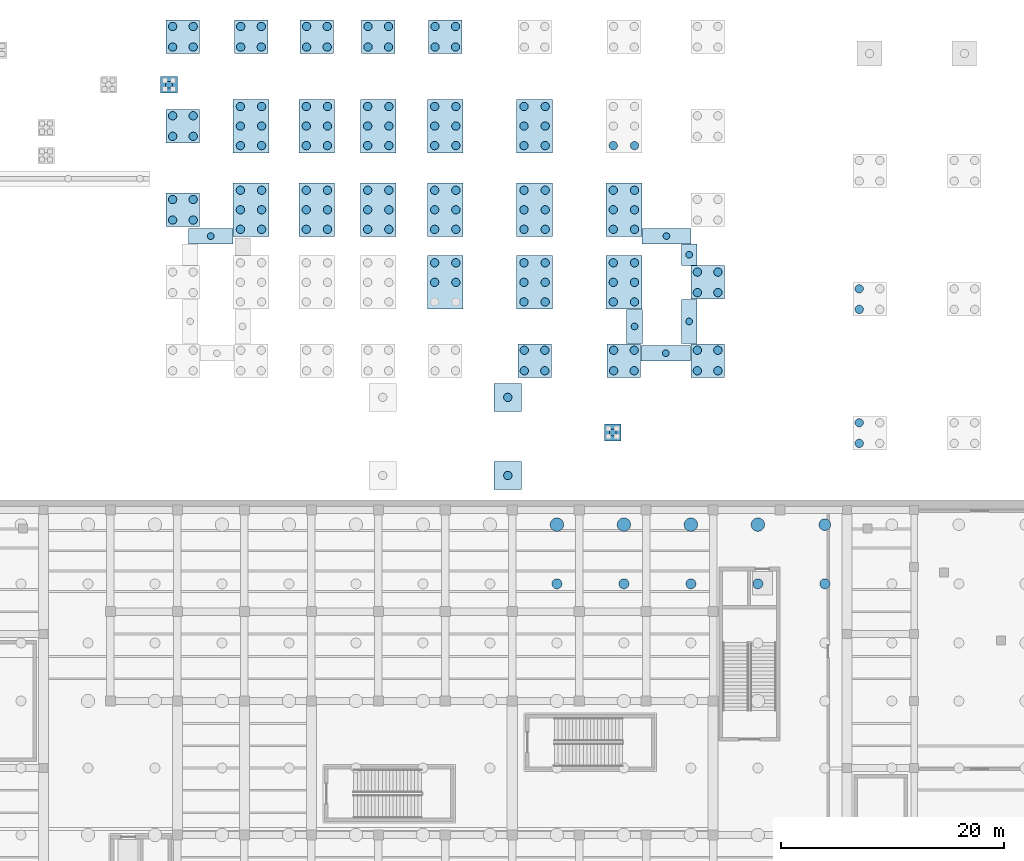
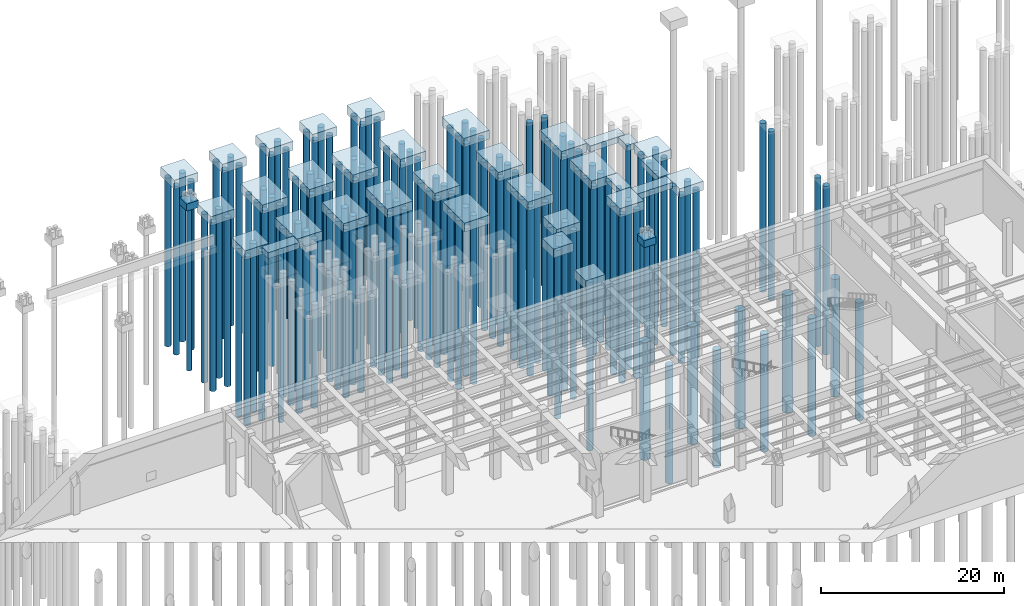
# One storey, part 4 of 30: 152 piles, 35 footings.
"""IFC4 building model written with IfcOpenShell, lengths in metres."""

from ifc_helpers import new_model, si_unit, direction, frame, origin, origin_2d, place, context, subcontext, project, spatial, rectangle, circle, extrude, material, material_profile, profile_set, type_object, element, save


model = new_model("IFC4")

# Units and contexts
model_context = context("Model", 3, precision=1e-05, world=origin(), true_north=direction((0.0, 1.0)))
body_context = subcontext(model_context, "Body", "Model", "MODEL_VIEW")
ifc_project = project(units=[si_unit("LENGTHUNIT", "METRE"), si_unit("AREAUNIT", "SQUARE_METRE"), si_unit("VOLUMEUNIT", "CUBIC_METRE"), si_unit("PLANEANGLEUNIT", "RADIAN"), si_unit("MASSUNIT", "GRAM", prefix="KILO")], contexts=[model_context])

# Site, building, storey
site_placement = place(None, origin())
site = spatial("IfcSite", under=ifc_project, at=site_placement, CompositionType="ELEMENT")
building_placement = place(site_placement, origin())
building = spatial("IfcBuilding", under=site, at=building_placement, Name="Kolvaren Corner Interchange", CompositionType="ELEMENT")
storey_placement = place(building_placement, frame((0.0, 0.0, -7.199951171875)))
storey = spatial("IfcBuildingStorey", under=building, at=storey_placement, Name="B1", CompositionType="ELEMENT", Elevation=-7.199951171875)

# Footings
ifc_material_1 = material(Name="Concrete C40/50", Category="concrete")
footing_type_1 = type_object("IfcFootingType", Name="FC-4P", PredefinedType="PILE_CAP", material=ifc_material_1)
for number, where, z_axis, x_axis, name in (
    (1, (66.5, 98.0, 5.60009765625), (0.0, 0.0, 1.0), (1.0, 0.0, 0.0), "Reinforced Concrete Foundation Pile Cap 057"),
    (2, (66.5, 105.5, 5.60009765625), (0.0, 0.0, 1.0), (1.0, 0.0, 0.0), "Reinforced Concrete Foundation Pile Cap 058"),
    (3, (66.5, 113.5, 5.60009765625), (0.0, 0.0, 1.0), (1.0, 0.0, 0.0), "Reinforced Concrete Foundation Pile Cap 059"),
    (4, (72.60009765625, 113.5, 5.60009765625), (0.0, 0.0, 1.0), (1.0, 0.0, 0.0), "Reinforced Concrete Foundation Pile Cap 064"),
    (5, (78.5, 113.5, 5.60009765625), (0.0, 0.0, 1.0), (1.0, 0.0, 0.0), "Reinforced Concrete Foundation Pile Cap 069"),
    (6, (84.0, 113.5, 5.60009765625), (0.0, 0.0, 1.0), (1.0, 0.0, 0.0), "Reinforced Concrete Foundation Pile Cap 074"),
    (7, (90.0, 113.5, 5.60009765625), (0.0, 0.0, 1.0), (1.0, 0.0, 0.0), "Reinforced Concrete Foundation Pile Cap 079"),
    (8, (98.0, 84.5, 5.60009765625), (0.0, 0.0, 1.0), (1.0, 0.0, 0.0), "Reinforced Concrete Foundation Pile Cap 080"),
    (9, (106.0, 84.5, 5.60009765625), (0.0, 0.0, 1.0), (1.0, 0.0, 0.0), "Reinforced Concrete Foundation Pile Cap 085"),
    (10, (113.5, 84.5, 5.60009765625), (0.0, 0.0, 1.0), (1.0, 0.0, 0.0), "Reinforced Concrete Foundation Pile Cap 090"),
    (11, (113.5, 91.5, 5.60009765625), (0.0, 0.0, 1.0), (1.0, 0.0, 0.0), "Reinforced Concrete Foundation Pile Cap 091"),
):
    element("IfcFooting", number, at=place(storey_placement, frame(where, z_axis=z_axis, x_axis=x_axis)), inside=storey, type_object=footing_type_1, Name=name, PredefinedType="PILE_CAP", context=body_context, shape_type="SweptSolid", body=[
        extrude(rectangle(XDim=3.0, YDim=3.0, at=origin_2d()), origin(), (0.0, 0.0, 1.0), 1.199951171875),
    ])
ifc_material_2 = material(Name="Concrete C40/50", Category="concrete")
footing_type_2 = type_object("IfcFootingType", Name="FC-6P", PredefinedType="PILE_CAP", material=ifc_material_2)
for number, where, z_axis, x_axis, name in (
    (12, (72.60009765625, 98.0, 5.60009765625), (0.0, 0.0, 1.0), (1.0, 0.0, 0.0), "Reinforced Concrete Foundation Pile Cap 062"),
    (13, (72.60009765625, 105.5, 5.60009765625), (0.0, 0.0, 1.0), (1.0, 0.0, 0.0), "Reinforced Concrete Foundation Pile Cap 063"),
    (14, (78.5, 98.0, 5.60009765625), (0.0, 0.0, 1.0), (1.0, 0.0, 0.0), "Reinforced Concrete Foundation Pile Cap 067"),
    (15, (78.5, 105.5, 5.60009765625), (0.0, 0.0, 1.0), (1.0, 0.0, 0.0), "Reinforced Concrete Foundation Pile Cap 068"),
    (16, (84.0, 98.0, 5.60009765625), (0.0, 0.0, 1.0), (1.0, 0.0, 0.0), "Reinforced Concrete Foundation Pile Cap 072"),
    (17, (84.0, 105.5, 5.60009765625), (0.0, 0.0, 1.0), (1.0, 0.0, 0.0), "Reinforced Concrete Foundation Pile Cap 073"),
    (18, (90.0, 91.5, 5.60009765625), (0.0, 0.0, 1.0), (1.0, 0.0, 0.0), "Reinforced Concrete Foundation Pile Cap 076"),
    (19, (90.0, 98.0, 5.60009765625), (0.0, 0.0, 1.0), (1.0, 0.0, 0.0), "Reinforced Concrete Foundation Pile Cap 077"),
    (20, (90.0, 105.5, 5.60009765625), (0.0, 0.0, 1.0), (1.0, 0.0, 0.0), "Reinforced Concrete Foundation Pile Cap 078"),
    (21, (98.0, 91.5, 5.60009765625), (0.0, 0.0, 1.0), (1.0, 0.0, 0.0), "Reinforced Concrete Foundation Pile Cap 081"),
    (22, (98.0, 98.0, 5.60009765625), (0.0, 0.0, 1.0), (1.0, 0.0, 0.0), "Reinforced Concrete Foundation Pile Cap 082"),
    (23, (98.0, 105.5, 5.60009765625), (0.0, 0.0, 1.0), (1.0, 0.0, 0.0), "Reinforced Concrete Foundation Pile Cap 083"),
    (24, (106.0, 91.5, 5.60009765625), (0.0, 0.0, 1.0), (1.0, 0.0, 0.0), "Reinforced Concrete Foundation Pile Cap 086"),
    (25, (106.0, 98.0, 5.60009765625), (0.0, 0.0, 1.0), (1.0, 0.0, 0.0), "Reinforced Concrete Foundation Pile Cap 087"),
):
    element("IfcFooting", number, at=place(storey_placement, frame(where, z_axis=z_axis, x_axis=x_axis)), inside=storey, type_object=footing_type_2, Name=name, PredefinedType="PILE_CAP", context=body_context, shape_type="SweptSolid", body=[
        extrude(rectangle(XDim=3.199951171875, YDim=4.800048828125, at=origin_2d()), origin(), (0.0, 0.0, 1.0), 1.199951171875),
    ])
ifc_material_3 = material(Name="Concrete C40/50", Category="concrete")
footing_type_3 = type_object("IfcFootingType", Name="FD-PAD2", PredefinedType="PAD_FOOTING", material=ifc_material_3)
for number, where, z_axis, x_axis, name in (
    (26, (95.60009765625, 74.199951171875, 5.60009765625), (0.0, 0.0, 1.0), (1.0, 0.0, 0.0), "Reinforced Concrete Foundation Pile Cap 097"),
    (27, (95.60009765625, 81.199951171875, 5.60009765625), (0.0, 0.0, 1.0), (1.0, 0.0, 0.0), "Reinforced Concrete Foundation Pile Cap 098"),
):
    element("IfcFooting", number, at=place(storey_placement, frame(where, z_axis=z_axis, x_axis=x_axis)), inside=storey, type_object=footing_type_3, Name=name, PredefinedType="PAD_FOOTING", context=body_context, shape_type="SweptSolid", body=[
        extrude(rectangle(XDim=2.5, YDim=2.5, at=origin_2d()), origin(), (0.0, 0.0, 1.0), 1.199951171875),
    ])
ifc_material_4 = material(Name="Concrete C40/50", Category="concrete")
footing_type_4 = type_object("IfcFootingType", Name="FD-PAD4", PredefinedType="PAD_FOOTING", material=ifc_material_4)
for number, where, z_axis, x_axis, name in (
    (28, (65.25, 109.199951171875, 5.02001953125), (0.0, 0.0, 1.0), (1.0, 0.0, 0.0), "Reinforced Concrete Foundation Pile Cap 146"),
    (29, (105.0, 78.050048828125, 5.10986328125), (0.0, 0.0, 1.0), (1.0, 0.0, 0.0), "Reinforced Concrete Foundation Pile Cap 156"),
):
    element("IfcFooting", number, at=place(storey_placement, frame(where, z_axis=z_axis, x_axis=x_axis)), inside=storey, type_object=footing_type_4, Name=name, PredefinedType="PAD_FOOTING", context=body_context, shape_type="SweptSolid", body=[
        extrude(rectangle(XDim=1.5, YDim=1.5, at=origin_2d()), origin(), (0.0, 0.0, 1.0), 0.949951171875),
    ])
ifc_material_5 = material(Name="Concrete C40/50", Category="concrete")
ifc_material_profile_1 = material_profile(ifc_material_5, rectangle(XDim=1.39990234375, YDim=0.800048828125, at=origin_2d()), Name="STRIP 1400x800")
ifc_profile_set_1 = profile_set([ifc_material_profile_1], Name="Concrete C40/50")
footing_type_5 = type_object("IfcFootingType", Name="FS-STRIP1", PredefinedType="STRIP_FOOTING", material=ifc_profile_set_1)
footing_1_placement = place(storey_placement, frame((67.0, 95.64501953125, 6.39990234375), z_axis=(1.0, 0.0, 0.0), x_axis=(0.0, 1.0, 0.0)))
element("IfcFooting", 30, at=footing_1_placement, inside=storey, type_object=footing_type_5, Name="Cycle Hub West Pavilion Exit Stair North Strip Footing", PredefinedType="STRIP_FOOTING", context=body_context, shape_type="SweptSolid", body=[
    extrude(rectangle(XDim=1.39990234375, YDim=0.800048828125, at=origin_2d()), origin(), (0.0, 0.0, 1.0), 3.97998046875),
])
footing_2_placement = place(storey_placement, frame((107.52001953125, 85.155029296875, 6.39990234375), z_axis=(1.0, 0.0, 0.0), x_axis=(0.0, 1.0, 0.0)))
element("IfcFooting", 31, at=footing_2_placement, inside=storey, type_object=footing_type_5, Name="Cycle Hub East Mezzanine Exit Stair South Strip Footing", PredefinedType="STRIP_FOOTING", context=body_context, shape_type="SweptSolid", body=[
    extrude(rectangle(XDim=1.39990234375, YDim=0.800048828125, at=origin_2d()), origin(), (0.0, 0.0, 1.0), 4.4599609375),
])
footing_3_placement = place(storey_placement, frame((107.6201171875, 95.64501953125, 6.39990234375), z_axis=(1.0, 0.0, 0.0), x_axis=(0.0, 1.0, 0.0)))
element("IfcFooting", 32, at=footing_3_placement, inside=storey, type_object=footing_type_5, Name="Cycle Hub East Mezzanine Exit Stair North Strip Footing", PredefinedType="STRIP_FOOTING", context=body_context, shape_type="SweptSolid", body=[
    extrude(rectangle(XDim=1.39990234375, YDim=0.800048828125, at=origin_2d()), origin(), (0.0, 0.0, 1.0), 4.3798828125),
])
footing_4_placement = place(storey_placement, frame((106.955078125, 86.02001953125, 6.39990234375), z_axis=(0.0, 1.0, 0.0), x_axis=(-1.0, 0.0, 0.0)))
element("IfcFooting", 33, at=footing_4_placement, inside=storey, type_object=footing_type_5, Name="Cycle Hub East Mezzanine Exit Stair West Strip Footing", PredefinedType="STRIP_FOOTING", context=body_context, shape_type="SweptSolid", body=[
    extrude(rectangle(XDim=1.39990234375, YDim=0.800048828125, at=origin_2d()), origin(), (0.0, 0.0, 1.0), 3.06005859375),
])
footing_5_placement = place(storey_placement, frame((111.844970703125, 86.02001953125, 6.39990234375), z_axis=(0.0, 1.0, 0.0), x_axis=(-1.0, 0.0, 0.0)))
element("IfcFooting", 34, at=footing_5_placement, inside=storey, type_object=footing_type_5, Name="Cycle Hub East Mezzanine Exit Stair East Strip Footing Segment 1", PredefinedType="STRIP_FOOTING", context=body_context, shape_type="SweptSolid", body=[
    extrude(rectangle(XDim=1.39990234375, YDim=0.800048828125, at=origin_2d()), origin(), (0.0, 0.0, 1.0), 3.9599609375),
])
footing_6_placement = place(storey_placement, frame((111.844970703125, 93.02001953125, 6.39990234375), z_axis=(0.0, 1.0, 0.0), x_axis=(-1.0, 0.0, 0.0)))
element("IfcFooting", 35, at=footing_6_placement, inside=storey, type_object=footing_type_5, Name="Cycle Hub East Mezzanine Exit Stair East Strip Footing Segment 2", PredefinedType="STRIP_FOOTING", context=body_context, shape_type="SweptSolid", body=[
    extrude(rectangle(XDim=1.39990234375, YDim=0.800048828125, at=origin_2d()), origin(), (0.0, 0.0, 1.0), 1.905029296875),
])

# Piles
ifc_material_6 = material(Name="Concrete C40/50", Category="concrete")
ifc_material_profile_2 = material_profile(ifc_material_6, circle(Radius=0.52490234375, at=origin_2d()), Name="BORED PILE 1050")
ifc_profile_set_2 = profile_set([ifc_material_profile_2], Name="Concrete C40/50")
pile_type_1 = type_object("IfcPileType", Name="PILE-BP1050", PredefinedType="BORED", material=ifc_profile_set_2)
pile_1_placement = place(storey_placement, frame((124.0, 69.800048828125, -1.10009765625), z_axis=(0.0, 0.0, -1.0), x_axis=(1.0, 0.0, 0.0)))
element("IfcPile", 36, at=pile_1_placement, inside=storey, type_object=pile_type_1, Name="Metro Base Raft Rotary Bored Pile 0171", PredefinedType="BORED", context=body_context, shape_type="SweptSolid", body=[
    extrude(circle(Radius=0.52490234375, at=origin_2d()), origin(), (0.0, 0.0, 1.0), 15.699951171875),
])
ifc_material_7 = material(Name="Concrete C40/50", Category="concrete")
ifc_material_profile_3 = material_profile(ifc_material_7, circle(Radius=0.60009765625, at=origin_2d()), Name="BORED PILE 1200")
ifc_profile_set_3 = profile_set([ifc_material_profile_3], Name="Concrete C40/50")
pile_type_2 = type_object("IfcPileType", Name="PILE-BP1200", PredefinedType="BORED", material=ifc_profile_set_3)
for number, where, z_axis, x_axis, name in (
    (37, (100.0, 69.800048828125, -1.10009765625), (0.0, 0.0, -1.0), (1.0, 0.0, 0.0), "Metro Base Raft Rotary Bored Pile 0135"),
    (38, (106.0, 69.800048828125, -1.10009765625), (0.0, 0.0, -1.0), (1.0, 0.0, 0.0), "Metro Base Raft Rotary Bored Pile 0144"),
    (39, (112.0, 69.800048828125, -1.10009765625), (0.0, 0.0, -1.0), (1.0, 0.0, 0.0), "Metro Base Raft Rotary Bored Pile 0153"),
    (40, (118.0, 69.800048828125, -1.10009765625), (0.0, 0.0, -1.0), (1.0, 0.0, 0.0), "Metro Base Raft Rotary Bored Pile 0162"),
):
    element("IfcPile", number, at=place(storey_placement, frame(where, z_axis=z_axis, x_axis=x_axis)), inside=storey, type_object=pile_type_2, Name=name, PredefinedType="BORED", context=body_context, shape_type="SweptSolid", body=[
        extrude(circle(Radius=0.60009765625, at=origin_2d()), origin(), (0.0, 0.0, 1.0), 15.699951171875),
    ])
ifc_material_8 = material(Name="Concrete C40/50", Category="concrete")
ifc_material_profile_4 = material_profile(ifc_material_8, circle(Radius=0.300048828125, at=origin_2d()), Name="BORED PILE 600")
ifc_profile_set_4 = profile_set([ifc_material_profile_4], Name="Concrete C40/50")
pile_type_3 = type_object("IfcPileType", Name="PILE-BP600", PredefinedType="BORED", material=ifc_profile_set_4)
for number, where, z_axis, x_axis, name in (
    (41, (68.989990234375, 95.64501953125, 6.099853515625), (0.0, 0.0, -1.0), (1.0, 0.0, 0.0), "Cycle Hub West Pavilion Exit Stair North Bored Pile 002"),
    (42, (109.75, 85.155029296875, 6.099853515625), (0.0, 0.0, -1.0), (1.0, 0.0, 0.0), "Cycle Hub East Mezzanine Exit Stair South Bored Pile 001"),
    (43, (109.81005859375, 95.64501953125, 6.099853515625), (0.0, 0.0, -1.0), (1.0, 0.0, 0.0), "Cycle Hub East Mezzanine Exit Stair North Bored Pile 002"),
    (44, (106.955078125, 87.550048828125, 6.099853515625), (0.0, 0.0, -1.0), (1.0, 0.0, 0.0), "Cycle Hub East Mezzanine Exit Stair West Bored Pile 003"),
    (45, (111.844970703125, 88.0, 6.099853515625), (0.0, 0.0, -1.0), (1.0, 0.0, 0.0), "Cycle Hub East Mezzanine Exit Stair East Bored Pile 004"),
    (46, (111.844970703125, 93.972412109375, 6.099853515625), (0.0, 0.0, -1.0), (1.0, 0.0, 0.0), "Cycle Hub East Mezzanine Exit Stair East Bored Pile 005"),
):
    element("IfcPile", number, at=place(storey_placement, frame(where, z_axis=z_axis, x_axis=x_axis)), inside=storey, type_object=pile_type_3, Name=name, PredefinedType="BORED", context=body_context, shape_type="SweptSolid", body=[
        extrude(circle(Radius=0.300048828125, at=origin_2d()), origin(), (0.0, 0.0, 1.0), 22.89990234375),
    ])
pile_2_placement = place(storey_placement, frame((65.25, 109.199951171875, 5.119873046875), z_axis=(0.0, 0.0, -1.0), x_axis=(1.0, 0.0, 0.0)))
element("IfcPile", 47, at=pile_2_placement, inside=storey, type_object=pile_type_3, Name="Pile Cap Rotary Bored Pile 0523", PredefinedType="BORED", context=body_context, shape_type="SweptSolid", body=[
    extrude(circle(Radius=0.300048828125, at=origin_2d()), origin(), (0.0, 0.0, 1.0), 21.919921875),
])
pile_3_placement = place(storey_placement, frame((105.0, 78.050048828125, 5.2099609375), z_axis=(0.0, 0.0, -1.0), x_axis=(1.0, 0.0, 0.0)))
element("IfcPile", 48, at=pile_3_placement, inside=storey, type_object=pile_type_3, Name="Pile Cap Rotary Bored Pile 0533", PredefinedType="BORED", context=body_context, shape_type="SweptSolid", body=[
    extrude(circle(Radius=0.300048828125, at=origin_2d()), origin(), (0.0, 0.0, 1.0), 22.010009765625),
])
ifc_material_9 = material(Name="Concrete C40/50", Category="concrete")
ifc_material_profile_5 = material_profile(ifc_material_9, circle(Radius=0.375, at=origin_2d()), Name="BORED PILE 750")
ifc_profile_set_5 = profile_set([ifc_material_profile_5], Name="Concrete C40/50")
pile_type_4 = type_object("IfcPileType", Name="PILE-BP750", PredefinedType="BORED", material=ifc_profile_set_5)
for number, where, z_axis, x_axis, name in (
    (49, (65.580078125, 97.080078125, 5.699951171875), (0.0, 0.0, -1.0), (1.0, 0.0, 0.0), "Pile Cap Rotary Bored Pile 0183"),
    (50, (67.419921875, 97.080078125, 5.699951171875), (0.0, 0.0, -1.0), (1.0, 0.0, 0.0), "Pile Cap Rotary Bored Pile 0184"),
    (51, (65.580078125, 98.919921875, 5.699951171875), (0.0, 0.0, -1.0), (1.0, 0.0, 0.0), "Pile Cap Rotary Bored Pile 0185"),
    (52, (67.419921875, 98.919921875, 5.699951171875), (0.0, 0.0, -1.0), (1.0, 0.0, 0.0), "Pile Cap Rotary Bored Pile 0186"),
    (53, (65.580078125, 104.580078125, 5.699951171875), (0.0, 0.0, -1.0), (1.0, 0.0, 0.0), "Pile Cap Rotary Bored Pile 0187"),
    (54, (67.419921875, 104.580078125, 5.699951171875), (0.0, 0.0, -1.0), (1.0, 0.0, 0.0), "Pile Cap Rotary Bored Pile 0188"),
    (55, (65.580078125, 106.419921875, 5.699951171875), (0.0, 0.0, -1.0), (1.0, 0.0, 0.0), "Pile Cap Rotary Bored Pile 0189"),
    (56, (67.419921875, 106.419921875, 5.699951171875), (0.0, 0.0, -1.0), (1.0, 0.0, 0.0), "Pile Cap Rotary Bored Pile 0190"),
    (57, (65.580078125, 112.580078125, 5.699951171875), (0.0, 0.0, -1.0), (1.0, 0.0, 0.0), "Pile Cap Rotary Bored Pile 0191"),
    (58, (67.419921875, 112.580078125, 5.699951171875), (0.0, 0.0, -1.0), (1.0, 0.0, 0.0), "Pile Cap Rotary Bored Pile 0192"),
    (59, (65.580078125, 114.419921875, 5.699951171875), (0.0, 0.0, -1.0), (1.0, 0.0, 0.0), "Pile Cap Rotary Bored Pile 0193"),
    (60, (67.419921875, 114.419921875, 5.699951171875), (0.0, 0.0, -1.0), (1.0, 0.0, 0.0), "Pile Cap Rotary Bored Pile 0194"),
    (61, (71.64990234375, 96.25, 5.699951171875), (0.0, 0.0, -1.0), (1.0, 0.0, 0.0), "Pile Cap Rotary Bored Pile 0205"),
    (62, (73.550048828125, 96.25, 5.699951171875), (0.0, 0.0, -1.0), (1.0, 0.0, 0.0), "Pile Cap Rotary Bored Pile 0206"),
    (63, (71.64990234375, 98.0, 5.699951171875), (0.0, 0.0, -1.0), (1.0, 0.0, 0.0), "Pile Cap Rotary Bored Pile 0207"),
    (64, (73.550048828125, 98.0, 5.699951171875), (0.0, 0.0, -1.0), (1.0, 0.0, 0.0), "Pile Cap Rotary Bored Pile 0208"),
    (65, (71.64990234375, 99.75, 5.699951171875), (0.0, 0.0, -1.0), (1.0, 0.0, 0.0), "Pile Cap Rotary Bored Pile 0209"),
    (66, (73.550048828125, 99.75, 5.699951171875), (0.0, 0.0, -1.0), (1.0, 0.0, 0.0), "Pile Cap Rotary Bored Pile 0210"),
    (67, (71.64990234375, 103.75, 5.699951171875), (0.0, 0.0, -1.0), (1.0, 0.0, 0.0), "Pile Cap Rotary Bored Pile 0211"),
    (68, (73.550048828125, 103.75, 5.699951171875), (0.0, 0.0, -1.0), (1.0, 0.0, 0.0), "Pile Cap Rotary Bored Pile 0212"),
    (69, (71.64990234375, 105.5, 5.699951171875), (0.0, 0.0, -1.0), (1.0, 0.0, 0.0), "Pile Cap Rotary Bored Pile 0213"),
    (70, (73.550048828125, 105.5, 5.699951171875), (0.0, 0.0, -1.0), (1.0, 0.0, 0.0), "Pile Cap Rotary Bored Pile 0214"),
    (71, (71.64990234375, 107.25, 5.699951171875), (0.0, 0.0, -1.0), (1.0, 0.0, 0.0), "Pile Cap Rotary Bored Pile 0215"),
    (72, (73.550048828125, 107.25, 5.699951171875), (0.0, 0.0, -1.0), (1.0, 0.0, 0.0), "Pile Cap Rotary Bored Pile 0216"),
    (73, (71.679931640625, 112.580078125, 5.699951171875), (0.0, 0.0, -1.0), (1.0, 0.0, 0.0), "Pile Cap Rotary Bored Pile 0217"),
    (74, (73.52001953125, 112.580078125, 5.699951171875), (0.0, 0.0, -1.0), (1.0, 0.0, 0.0), "Pile Cap Rotary Bored Pile 0218"),
    (75, (71.679931640625, 114.419921875, 5.699951171875), (0.0, 0.0, -1.0), (1.0, 0.0, 0.0), "Pile Cap Rotary Bored Pile 0219"),
    (76, (73.52001953125, 114.419921875, 5.699951171875), (0.0, 0.0, -1.0), (1.0, 0.0, 0.0), "Pile Cap Rotary Bored Pile 0220"),
    (77, (77.550048828125, 96.25, 5.699951171875), (0.0, 0.0, -1.0), (1.0, 0.0, 0.0), "Pile Cap Rotary Bored Pile 0231"),
    (78, (79.449951171875, 96.25, 5.699951171875), (0.0, 0.0, -1.0), (1.0, 0.0, 0.0), "Pile Cap Rotary Bored Pile 0232"),
    (79, (77.550048828125, 98.0, 5.699951171875), (0.0, 0.0, -1.0), (1.0, 0.0, 0.0), "Pile Cap Rotary Bored Pile 0233"),
    (80, (79.449951171875, 98.0, 5.699951171875), (0.0, 0.0, -1.0), (1.0, 0.0, 0.0), "Pile Cap Rotary Bored Pile 0234"),
    (81, (77.550048828125, 99.75, 5.699951171875), (0.0, 0.0, -1.0), (1.0, 0.0, 0.0), "Pile Cap Rotary Bored Pile 0235"),
    (82, (79.449951171875, 99.75, 5.699951171875), (0.0, 0.0, -1.0), (1.0, 0.0, 0.0), "Pile Cap Rotary Bored Pile 0236"),
    (83, (77.550048828125, 103.75, 5.699951171875), (0.0, 0.0, -1.0), (1.0, 0.0, 0.0), "Pile Cap Rotary Bored Pile 0237"),
    (84, (79.449951171875, 103.75, 5.699951171875), (0.0, 0.0, -1.0), (1.0, 0.0, 0.0), "Pile Cap Rotary Bored Pile 0238"),
    (85, (77.550048828125, 105.5, 5.699951171875), (0.0, 0.0, -1.0), (1.0, 0.0, 0.0), "Pile Cap Rotary Bored Pile 0239"),
    (86, (79.449951171875, 105.5, 5.699951171875), (0.0, 0.0, -1.0), (1.0, 0.0, 0.0), "Pile Cap Rotary Bored Pile 0240"),
    (87, (77.550048828125, 107.25, 5.699951171875), (0.0, 0.0, -1.0), (1.0, 0.0, 0.0), "Pile Cap Rotary Bored Pile 0241"),
    (88, (79.449951171875, 107.25, 5.699951171875), (0.0, 0.0, -1.0), (1.0, 0.0, 0.0), "Pile Cap Rotary Bored Pile 0242"),
    (89, (77.580078125, 112.580078125, 5.699951171875), (0.0, 0.0, -1.0), (1.0, 0.0, 0.0), "Pile Cap Rotary Bored Pile 0243"),
    (90, (79.419921875, 112.580078125, 5.699951171875), (0.0, 0.0, -1.0), (1.0, 0.0, 0.0), "Pile Cap Rotary Bored Pile 0244"),
    (91, (77.580078125, 114.419921875, 5.699951171875), (0.0, 0.0, -1.0), (1.0, 0.0, 0.0), "Pile Cap Rotary Bored Pile 0245"),
    (92, (79.419921875, 114.419921875, 5.699951171875), (0.0, 0.0, -1.0), (1.0, 0.0, 0.0), "Pile Cap Rotary Bored Pile 0246"),
    (93, (83.050048828125, 96.25, 5.699951171875), (0.0, 0.0, -1.0), (1.0, 0.0, 0.0), "Pile Cap Rotary Bored Pile 0257"),
    (94, (84.949951171875, 96.25, 5.699951171875), (0.0, 0.0, -1.0), (1.0, 0.0, 0.0), "Pile Cap Rotary Bored Pile 0258"),
    (95, (83.050048828125, 98.0, 5.699951171875), (0.0, 0.0, -1.0), (1.0, 0.0, 0.0), "Pile Cap Rotary Bored Pile 0259"),
    (96, (84.949951171875, 98.0, 5.699951171875), (0.0, 0.0, -1.0), (1.0, 0.0, 0.0), "Pile Cap Rotary Bored Pile 0260"),
    (97, (83.050048828125, 99.75, 5.699951171875), (0.0, 0.0, -1.0), (1.0, 0.0, 0.0), "Pile Cap Rotary Bored Pile 0261"),
    (98, (84.949951171875, 99.75, 5.699951171875), (0.0, 0.0, -1.0), (1.0, 0.0, 0.0), "Pile Cap Rotary Bored Pile 0262"),
    (99, (83.050048828125, 103.75, 5.699951171875), (0.0, 0.0, -1.0), (1.0, 0.0, 0.0), "Pile Cap Rotary Bored Pile 0263"),
    (100, (84.949951171875, 103.75, 5.699951171875), (0.0, 0.0, -1.0), (1.0, 0.0, 0.0), "Pile Cap Rotary Bored Pile 0264"),
    (101, (83.050048828125, 105.5, 5.699951171875), (0.0, 0.0, -1.0), (1.0, 0.0, 0.0), "Pile Cap Rotary Bored Pile 0265"),
    (102, (84.949951171875, 105.5, 5.699951171875), (0.0, 0.0, -1.0), (1.0, 0.0, 0.0), "Pile Cap Rotary Bored Pile 0266"),
    (103, (83.050048828125, 107.25, 5.699951171875), (0.0, 0.0, -1.0), (1.0, 0.0, 0.0), "Pile Cap Rotary Bored Pile 0267"),
    (104, (84.949951171875, 107.25, 5.699951171875), (0.0, 0.0, -1.0), (1.0, 0.0, 0.0), "Pile Cap Rotary Bored Pile 0268"),
    (105, (83.080078125, 112.580078125, 5.699951171875), (0.0, 0.0, -1.0), (1.0, 0.0, 0.0), "Pile Cap Rotary Bored Pile 0269"),
    (106, (84.919921875, 112.580078125, 5.699951171875), (0.0, 0.0, -1.0), (1.0, 0.0, 0.0), "Pile Cap Rotary Bored Pile 0270"),
    (107, (83.080078125, 114.419921875, 5.699951171875), (0.0, 0.0, -1.0), (1.0, 0.0, 0.0), "Pile Cap Rotary Bored Pile 0271"),
    (108, (84.919921875, 114.419921875, 5.699951171875), (0.0, 0.0, -1.0), (1.0, 0.0, 0.0), "Pile Cap Rotary Bored Pile 0272"),
    (109, (89.050048828125, 91.5, 5.699951171875), (0.0, 0.0, -1.0), (1.0, 0.0, 0.0), "Pile Cap Rotary Bored Pile 0279"),
    (110, (90.949951171875, 91.5, 5.699951171875), (0.0, 0.0, -1.0), (1.0, 0.0, 0.0), "Pile Cap Rotary Bored Pile 0280"),
    (111, (89.050048828125, 93.25, 5.699951171875), (0.0, 0.0, -1.0), (1.0, 0.0, 0.0), "Pile Cap Rotary Bored Pile 0281"),
    (112, (90.949951171875, 93.25, 5.699951171875), (0.0, 0.0, -1.0), (1.0, 0.0, 0.0), "Pile Cap Rotary Bored Pile 0282"),
    (113, (89.050048828125, 96.25, 5.699951171875), (0.0, 0.0, -1.0), (1.0, 0.0, 0.0), "Pile Cap Rotary Bored Pile 0283"),
    (114, (90.949951171875, 96.25, 5.699951171875), (0.0, 0.0, -1.0), (1.0, 0.0, 0.0), "Pile Cap Rotary Bored Pile 0284"),
    (115, (89.050048828125, 98.0, 5.699951171875), (0.0, 0.0, -1.0), (1.0, 0.0, 0.0), "Pile Cap Rotary Bored Pile 0285"),
    (116, (90.949951171875, 98.0, 5.699951171875), (0.0, 0.0, -1.0), (1.0, 0.0, 0.0), "Pile Cap Rotary Bored Pile 0286"),
    (117, (89.050048828125, 99.75, 5.699951171875), (0.0, 0.0, -1.0), (1.0, 0.0, 0.0), "Pile Cap Rotary Bored Pile 0287"),
    (118, (90.949951171875, 99.75, 5.699951171875), (0.0, 0.0, -1.0), (1.0, 0.0, 0.0), "Pile Cap Rotary Bored Pile 0288"),
    (119, (89.050048828125, 103.75, 5.699951171875), (0.0, 0.0, -1.0), (1.0, 0.0, 0.0), "Pile Cap Rotary Bored Pile 0289"),
    (120, (90.949951171875, 103.75, 5.699951171875), (0.0, 0.0, -1.0), (1.0, 0.0, 0.0), "Pile Cap Rotary Bored Pile 0290"),
    (121, (89.050048828125, 105.5, 5.699951171875), (0.0, 0.0, -1.0), (1.0, 0.0, 0.0), "Pile Cap Rotary Bored Pile 0291"),
    (122, (90.949951171875, 105.5, 5.699951171875), (0.0, 0.0, -1.0), (1.0, 0.0, 0.0), "Pile Cap Rotary Bored Pile 0292"),
    (123, (89.050048828125, 107.25, 5.699951171875), (0.0, 0.0, -1.0), (1.0, 0.0, 0.0), "Pile Cap Rotary Bored Pile 0293"),
    (124, (90.949951171875, 107.25, 5.699951171875), (0.0, 0.0, -1.0), (1.0, 0.0, 0.0), "Pile Cap Rotary Bored Pile 0294"),
    (125, (89.080078125, 112.580078125, 5.699951171875), (0.0, 0.0, -1.0), (1.0, 0.0, 0.0), "Pile Cap Rotary Bored Pile 0295"),
    (126, (90.919921875, 112.580078125, 5.699951171875), (0.0, 0.0, -1.0), (1.0, 0.0, 0.0), "Pile Cap Rotary Bored Pile 0296"),
    (127, (89.080078125, 114.419921875, 5.699951171875), (0.0, 0.0, -1.0), (1.0, 0.0, 0.0), "Pile Cap Rotary Bored Pile 0297"),
    (128, (90.919921875, 114.419921875, 5.699951171875), (0.0, 0.0, -1.0), (1.0, 0.0, 0.0), "Pile Cap Rotary Bored Pile 0298"),
    (129, (97.080078125, 83.580078125, 5.699951171875), (0.0, 0.0, -1.0), (1.0, 0.0, 0.0), "Pile Cap Rotary Bored Pile 0299"),
    (130, (98.919921875, 83.580078125, 5.699951171875), (0.0, 0.0, -1.0), (1.0, 0.0, 0.0), "Pile Cap Rotary Bored Pile 0300"),
    (131, (97.080078125, 85.419921875, 5.699951171875), (0.0, 0.0, -1.0), (1.0, 0.0, 0.0), "Pile Cap Rotary Bored Pile 0301"),
    (132, (98.919921875, 85.419921875, 5.699951171875), (0.0, 0.0, -1.0), (1.0, 0.0, 0.0), "Pile Cap Rotary Bored Pile 0302"),
    (133, (97.050048828125, 89.75, 5.699951171875), (0.0, 0.0, -1.0), (1.0, 0.0, 0.0), "Pile Cap Rotary Bored Pile 0303"),
    (134, (98.949951171875, 89.75, 5.699951171875), (0.0, 0.0, -1.0), (1.0, 0.0, 0.0), "Pile Cap Rotary Bored Pile 0304"),
    (135, (97.050048828125, 91.5, 5.699951171875), (0.0, 0.0, -1.0), (1.0, 0.0, 0.0), "Pile Cap Rotary Bored Pile 0305"),
    (136, (98.949951171875, 91.5, 5.699951171875), (0.0, 0.0, -1.0), (1.0, 0.0, 0.0), "Pile Cap Rotary Bored Pile 0306"),
    (137, (97.050048828125, 93.25, 5.699951171875), (0.0, 0.0, -1.0), (1.0, 0.0, 0.0), "Pile Cap Rotary Bored Pile 0307"),
    (138, (98.949951171875, 93.25, 5.699951171875), (0.0, 0.0, -1.0), (1.0, 0.0, 0.0), "Pile Cap Rotary Bored Pile 0308"),
    (139, (97.050048828125, 96.25, 5.699951171875), (0.0, 0.0, -1.0), (1.0, 0.0, 0.0), "Pile Cap Rotary Bored Pile 0309"),
    (140, (98.949951171875, 96.25, 5.699951171875), (0.0, 0.0, -1.0), (1.0, 0.0, 0.0), "Pile Cap Rotary Bored Pile 0310"),
    (141, (97.050048828125, 98.0, 5.699951171875), (0.0, 0.0, -1.0), (1.0, 0.0, 0.0), "Pile Cap Rotary Bored Pile 0311"),
    (142, (98.949951171875, 98.0, 5.699951171875), (0.0, 0.0, -1.0), (1.0, 0.0, 0.0), "Pile Cap Rotary Bored Pile 0312"),
    (143, (97.050048828125, 99.75, 5.699951171875), (0.0, 0.0, -1.0), (1.0, 0.0, 0.0), "Pile Cap Rotary Bored Pile 0313"),
    (144, (98.949951171875, 99.75, 5.699951171875), (0.0, 0.0, -1.0), (1.0, 0.0, 0.0), "Pile Cap Rotary Bored Pile 0314"),
    (145, (97.050048828125, 103.75, 5.699951171875), (0.0, 0.0, -1.0), (1.0, 0.0, 0.0), "Pile Cap Rotary Bored Pile 0315"),
    (146, (98.949951171875, 103.75, 5.699951171875), (0.0, 0.0, -1.0), (1.0, 0.0, 0.0), "Pile Cap Rotary Bored Pile 0316"),
    (147, (97.050048828125, 105.5, 5.699951171875), (0.0, 0.0, -1.0), (1.0, 0.0, 0.0), "Pile Cap Rotary Bored Pile 0317"),
    (148, (98.949951171875, 105.5, 5.699951171875), (0.0, 0.0, -1.0), (1.0, 0.0, 0.0), "Pile Cap Rotary Bored Pile 0318"),
    (149, (97.050048828125, 107.25, 5.699951171875), (0.0, 0.0, -1.0), (1.0, 0.0, 0.0), "Pile Cap Rotary Bored Pile 0319"),
    (150, (98.949951171875, 107.25, 5.699951171875), (0.0, 0.0, -1.0), (1.0, 0.0, 0.0), "Pile Cap Rotary Bored Pile 0320"),
    (151, (105.080078125, 83.580078125, 5.699951171875), (0.0, 0.0, -1.0), (1.0, 0.0, 0.0), "Pile Cap Rotary Bored Pile 0325"),
    (152, (106.919921875, 83.580078125, 5.699951171875), (0.0, 0.0, -1.0), (1.0, 0.0, 0.0), "Pile Cap Rotary Bored Pile 0326"),
    (153, (105.080078125, 85.419921875, 5.699951171875), (0.0, 0.0, -1.0), (1.0, 0.0, 0.0), "Pile Cap Rotary Bored Pile 0327"),
    (154, (106.919921875, 85.419921875, 5.699951171875), (0.0, 0.0, -1.0), (1.0, 0.0, 0.0), "Pile Cap Rotary Bored Pile 0328"),
    (155, (105.050048828125, 89.75, 5.699951171875), (0.0, 0.0, -1.0), (1.0, 0.0, 0.0), "Pile Cap Rotary Bored Pile 0329"),
    (156, (106.949951171875, 89.75, 5.699951171875), (0.0, 0.0, -1.0), (1.0, 0.0, 0.0), "Pile Cap Rotary Bored Pile 0330"),
    (157, (105.050048828125, 91.5, 5.699951171875), (0.0, 0.0, -1.0), (1.0, 0.0, 0.0), "Pile Cap Rotary Bored Pile 0331"),
    (158, (106.949951171875, 91.5, 5.699951171875), (0.0, 0.0, -1.0), (1.0, 0.0, 0.0), "Pile Cap Rotary Bored Pile 0332"),
    (159, (105.050048828125, 93.25, 5.699951171875), (0.0, 0.0, -1.0), (1.0, 0.0, 0.0), "Pile Cap Rotary Bored Pile 0333"),
    (160, (106.949951171875, 93.25, 5.699951171875), (0.0, 0.0, -1.0), (1.0, 0.0, 0.0), "Pile Cap Rotary Bored Pile 0334"),
    (161, (105.050048828125, 96.25, 5.699951171875), (0.0, 0.0, -1.0), (1.0, 0.0, 0.0), "Pile Cap Rotary Bored Pile 0335"),
    (162, (106.949951171875, 96.25, 5.699951171875), (0.0, 0.0, -1.0), (1.0, 0.0, 0.0), "Pile Cap Rotary Bored Pile 0336"),
    (163, (105.050048828125, 98.0, 5.699951171875), (0.0, 0.0, -1.0), (1.0, 0.0, 0.0), "Pile Cap Rotary Bored Pile 0337"),
    (164, (106.949951171875, 98.0, 5.699951171875), (0.0, 0.0, -1.0), (1.0, 0.0, 0.0), "Pile Cap Rotary Bored Pile 0338"),
    (165, (105.050048828125, 99.75, 5.699951171875), (0.0, 0.0, -1.0), (1.0, 0.0, 0.0), "Pile Cap Rotary Bored Pile 0339"),
    (166, (106.949951171875, 99.75, 5.699951171875), (0.0, 0.0, -1.0), (1.0, 0.0, 0.0), "Pile Cap Rotary Bored Pile 0340"),
    (167, (105.050048828125, 103.75, 5.699951171875), (0.0, 0.0, -1.0), (1.0, 0.0, 0.0), "Pile Cap Rotary Bored Pile 0341"),
    (168, (106.949951171875, 103.75, 5.699951171875), (0.0, 0.0, -1.0), (1.0, 0.0, 0.0), "Pile Cap Rotary Bored Pile 0342"),
    (169, (112.580078125, 83.580078125, 5.699951171875), (0.0, 0.0, -1.0), (1.0, 0.0, 0.0), "Pile Cap Rotary Bored Pile 0351"),
    (170, (114.419921875, 83.580078125, 5.699951171875), (0.0, 0.0, -1.0), (1.0, 0.0, 0.0), "Pile Cap Rotary Bored Pile 0352"),
    (171, (112.580078125, 85.419921875, 5.699951171875), (0.0, 0.0, -1.0), (1.0, 0.0, 0.0), "Pile Cap Rotary Bored Pile 0353"),
    (172, (114.419921875, 85.419921875, 5.699951171875), (0.0, 0.0, -1.0), (1.0, 0.0, 0.0), "Pile Cap Rotary Bored Pile 0354"),
    (173, (112.580078125, 90.580078125, 5.699951171875), (0.0, 0.0, -1.0), (1.0, 0.0, 0.0), "Pile Cap Rotary Bored Pile 0355"),
    (174, (114.419921875, 90.580078125, 5.699951171875), (0.0, 0.0, -1.0), (1.0, 0.0, 0.0), "Pile Cap Rotary Bored Pile 0356"),
    (175, (112.580078125, 92.419921875, 5.699951171875), (0.0, 0.0, -1.0), (1.0, 0.0, 0.0), "Pile Cap Rotary Bored Pile 0357"),
    (176, (114.419921875, 92.419921875, 5.699951171875), (0.0, 0.0, -1.0), (1.0, 0.0, 0.0), "Pile Cap Rotary Bored Pile 0358"),
    (177, (95.60009765625, 74.199951171875, 5.699951171875), (0.0, 0.0, -1.0), (1.0, 0.0, 0.0), "Pile Cap Rotary Bored Pile 0373"),
    (178, (95.60009765625, 81.199951171875, 5.699951171875), (0.0, 0.0, -1.0), (1.0, 0.0, 0.0), "Pile Cap Rotary Bored Pile 0374"),
    (179, (127.080078125, 77.080078125, 5.699951171875), (0.0, 0.0, -1.0), (1.0, 0.0, 0.0), "Pile Cap Rotary Bored Pile 0383"),
    (180, (127.080078125, 78.919921875, 5.699951171875), (0.0, 0.0, -1.0), (1.0, 0.0, 0.0), "Pile Cap Rotary Bored Pile 0385"),
    (181, (127.080078125, 89.080078125, 5.699951171875), (0.0, 0.0, -1.0), (1.0, 0.0, 0.0), "Pile Cap Rotary Bored Pile 0387"),
    (182, (127.080078125, 90.919921875, 5.699951171875), (0.0, 0.0, -1.0), (1.0, 0.0, 0.0), "Pile Cap Rotary Bored Pile 0389"),
):
    element("IfcPile", number, at=place(storey_placement, frame(where, z_axis=z_axis, x_axis=x_axis)), inside=storey, type_object=pile_type_4, Name=name, PredefinedType="BORED", context=body_context, shape_type="SweptSolid", body=[
        extrude(circle(Radius=0.375, at=origin_2d()), origin(), (0.0, 0.0, 1.0), 22.5),
    ])
ifc_material_10 = material(Name="Concrete C40/50", Category="concrete")
ifc_material_profile_6 = material_profile(ifc_material_10, circle(Radius=0.449951171875, at=origin_2d()), Name="BORED PILE 900")
ifc_profile_set_6 = profile_set([ifc_material_profile_6], Name="Concrete C40/50")
pile_type_5 = type_object("IfcPileType", Name="PILE-BP900", PredefinedType="BORED", material=ifc_profile_set_6)
for number, where, z_axis, x_axis, name in (
    (183, (100.0, 64.5, -1.10009765625), (0.0, 0.0, -1.0), (1.0, 0.0, 0.0), "Metro Base Raft Rotary Bored Pile 0134"),
    (184, (106.0, 64.5, -1.10009765625), (0.0, 0.0, -1.0), (1.0, 0.0, 0.0), "Metro Base Raft Rotary Bored Pile 0143"),
    (185, (112.0, 64.5, -1.10009765625), (0.0, 0.0, -1.0), (1.0, 0.0, 0.0), "Metro Base Raft Rotary Bored Pile 0152"),
    (186, (118.0, 64.5, -1.10009765625), (0.0, 0.0, -1.0), (1.0, 0.0, 0.0), "Metro Base Raft Rotary Bored Pile 0161"),
    (187, (124.0, 64.5, -1.10009765625), (0.0, 0.0, -1.0), (1.0, 0.0, 0.0), "Metro Base Raft Rotary Bored Pile 0170"),
):
    element("IfcPile", number, at=place(storey_placement, frame(where, z_axis=z_axis, x_axis=x_axis)), inside=storey, type_object=pile_type_5, Name=name, PredefinedType="BORED", context=body_context, shape_type="SweptSolid", body=[
        extrude(circle(Radius=0.449951171875, at=origin_2d()), origin(), (0.0, 0.0, 1.0), 15.699951171875),
    ])

save(model, "model.ifc")
